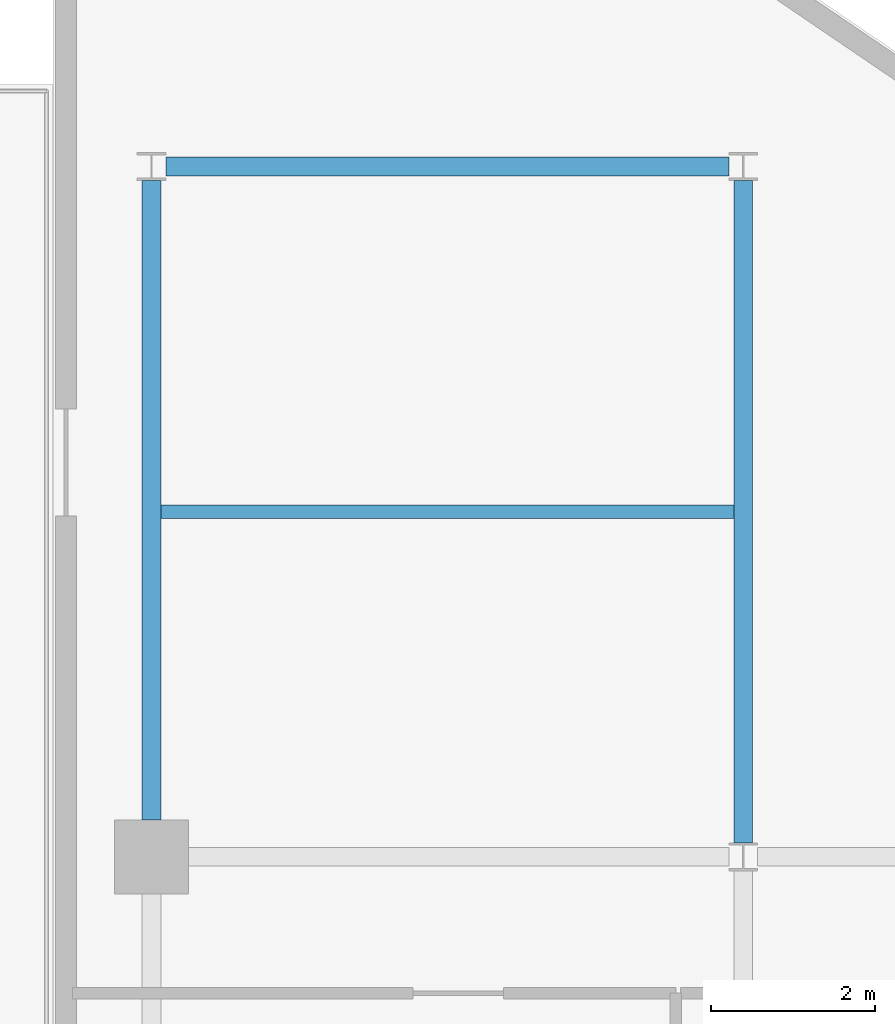
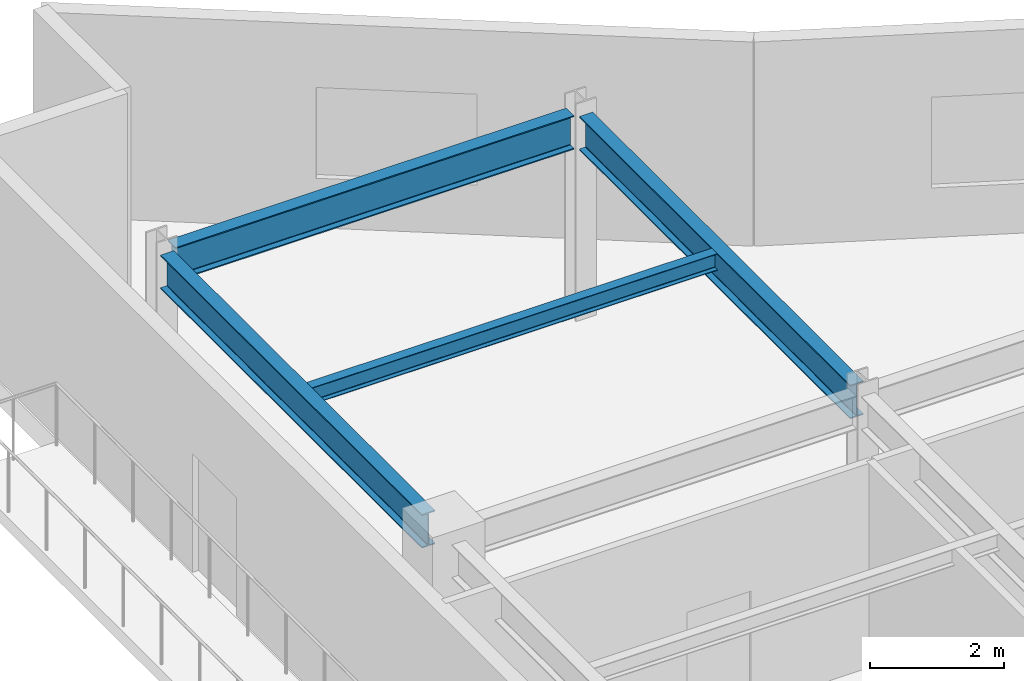
# One storey, part 7 of 20: 4 beams.
"""IFC4 building model written with IfcOpenShell, lengths in metres."""

from ifc_helpers import new_model, si_unit, direction, frame, origin, origin_2d, place, context, subcontext, project, spatial, i_section, extrude, material, material_profile, profile_set, type_object, element, save


model = new_model("IFC4")

# Units and contexts
model_context = context("Model", 3, precision=1e-05, world=origin(), true_north=direction((0.0, 1.0)))
body_context = subcontext(model_context, "Body", "Model", "MODEL_VIEW")
ifc_project = project(units=[si_unit("LENGTHUNIT", "METRE"), si_unit("AREAUNIT", "SQUARE_METRE"), si_unit("VOLUMEUNIT", "CUBIC_METRE"), si_unit("PLANEANGLEUNIT", "RADIAN"), si_unit("MASSUNIT", "GRAM", prefix="KILO")], contexts=[model_context])

# Site, building, storey
site_placement = place(None, origin())
site = spatial("IfcSite", under=ifc_project, at=site_placement, CompositionType="ELEMENT")
building_placement = place(site_placement, origin())
building = spatial("IfcBuilding", under=site, at=building_placement, Name="Varnakote Quay Hospital", CompositionType="ELEMENT")
storey_placement = place(building_placement, frame((0.0, 0.0, 22.5)))
storey = spatial("IfcBuildingStorey", under=building, at=storey_placement, Name="L05", CompositionType="ELEMENT", Elevation=22.5)

# Beams
ifc_material_1 = material(Name="Structural steel AS/NZS 3679.1 Grade 350 L0 (fy 340 MPa)", Category="steel")
ifc_material_profile_1 = material_profile(ifc_material_1, i_section(OverallWidth=0.22900390625, OverallDepth=0.612060546875, WebThickness=0.011962890625, FlangeThickness=0.01953125, FilletRadius=0.013916015625, at=origin_2d()), Name="610UB125")
ifc_profile_set_1 = profile_set([ifc_material_profile_1], Name="Structural steel AS/NZS 3679.1 Grade 350 L0 (fy 340 MPa)")
beam_type_1 = type_object("IfcBeamType", Name="BM-STL-610UB125", PredefinedType="BEAM", material=ifc_profile_set_1)
beam_1_placement = place(storey_placement, frame((1.375, 37.199951171875, 3.404052734375), z_axis=(1.0, 0.0, 0.0), x_axis=(0.0, 1.0, 0.0)))
element("IfcBeam", 1, at=beam_1_placement, inside=storey, type_object=beam_type_1, Name="L05 Plated Composite Transfer Beam", PredefinedType="BEAM", context=body_context, shape_type="SweptSolid", body=[
    extrude(i_section(OverallWidth=0.22900390625, OverallDepth=0.612060546875, WebThickness=0.011962890625, FlangeThickness=0.01953125, FilletRadius=0.013916015625, at=origin_2d()), origin(), (0.0, 0.0, 1.0), 6.85009765625),
])
beam_2_placement = place(storey_placement, frame((1.199951171875, 29.25, 3.404052734375), z_axis=(0.0, 1.0, 0.0), x_axis=(-1.0, 0.0, 0.0)))
element("IfcBeam", 2, at=beam_2_placement, inside=storey, type_object=beam_type_1, Name="L05 Primary Tie Beam", PredefinedType="BEAM", context=body_context, shape_type="SweptSolid", body=[
    extrude(i_section(OverallWidth=0.22900390625, OverallDepth=0.612060546875, WebThickness=0.011962890625, FlangeThickness=0.01953125, FilletRadius=0.013916015625, at=origin_2d()), origin(), (0.0, 0.0, 1.0), 7.780029296875),
])
beam_3_placement = place(storey_placement, frame((8.39990234375, 28.969970703125, 3.404052734375), z_axis=(0.0, 1.0, 0.0), x_axis=(-1.0, 0.0, 0.0)))
element("IfcBeam", 3, at=beam_3_placement, inside=storey, type_object=beam_type_1, Name="L05 Primary Tie Beam", PredefinedType="BEAM", context=body_context, shape_type="SweptSolid", body=[
    extrude(i_section(OverallWidth=0.22900390625, OverallDepth=0.612060546875, WebThickness=0.011962890625, FlangeThickness=0.01953125, FilletRadius=0.013916015625, at=origin_2d()), origin(), (0.0, 0.0, 1.0), 8.06005859375),
])
ifc_material_2 = material(Name="Structural steel AS/NZS 3679.1 Grade 350 L0 (fy 340 MPa)", Category="steel")
ifc_material_profile_2 = material_profile(ifc_material_2, i_section(OverallWidth=0.1650390625, OverallDepth=0.303955078125, WebThickness=0.006103515625, FlangeThickness=0.01025390625, FilletRadius=0.011474609375, at=origin_2d()), Name="310UB40.4")
ifc_profile_set_2 = profile_set([ifc_material_profile_2], Name="Structural steel AS/NZS 3679.1 Grade 350 L0 (fy 340 MPa)")
beam_type_2 = type_object("IfcBeamType", Name="JST-STL-310UB40-4", PredefinedType="JOIST", material=ifc_profile_set_2)
beam_4_placement = place(storey_placement, frame((1.314453125, 33.0, 3.55810546875), z_axis=(1.0, 0.0, 0.0), x_axis=(0.0, 1.0, 0.0)))
element("IfcBeam", 4, at=beam_4_placement, inside=storey, type_object=beam_type_2, Name="L05 Composite Floor Joist", PredefinedType="JOIST", context=body_context, shape_type="SweptSolid", body=[
    extrude(i_section(OverallWidth=0.1650390625, OverallDepth=0.303955078125, WebThickness=0.006103515625, FlangeThickness=0.01025390625, FilletRadius=0.011474609375, at=origin_2d()), origin(), (0.0, 0.0, 1.0), 6.970947265625),
])

save(model, "model.ifc")
